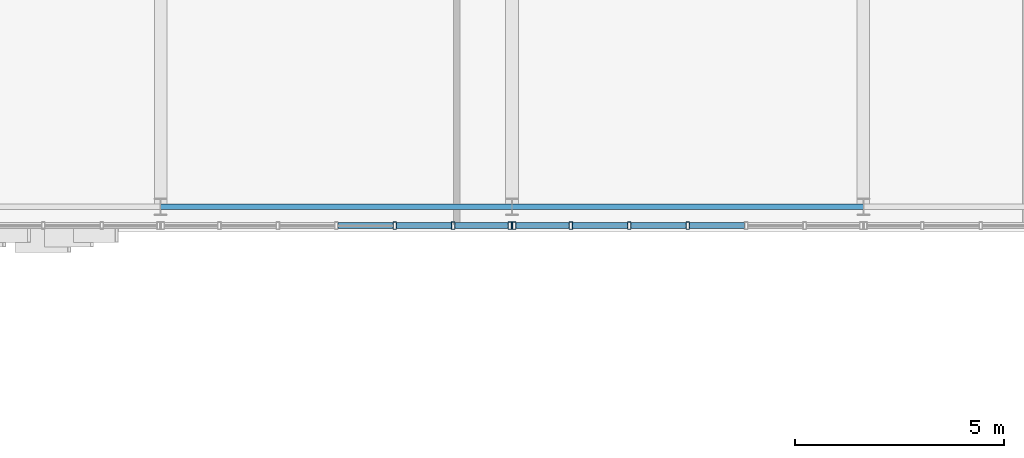
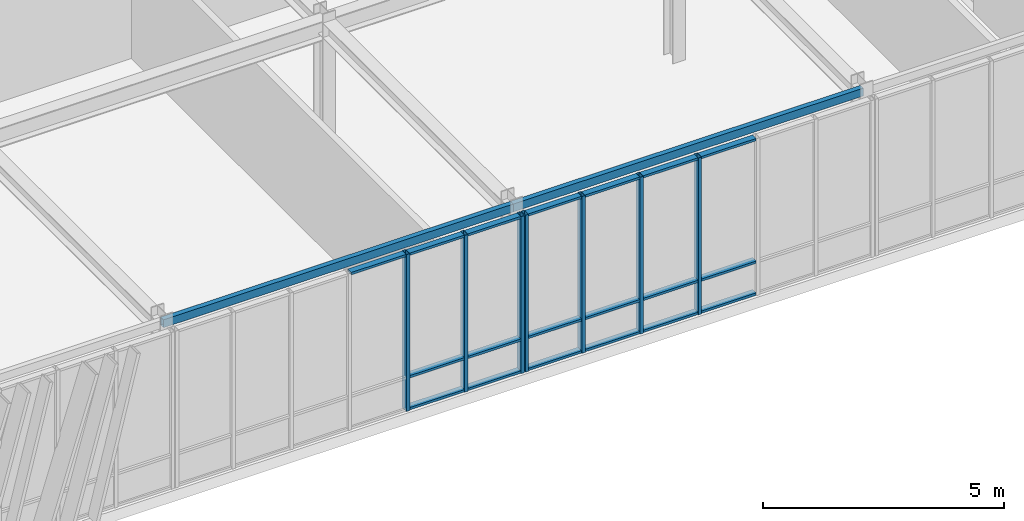
# One storey, part 23 of 123: 26 members, 2 beams, 2 elements without a shape of their own.
"""IFC4 building model written with IfcOpenShell, lengths in metres."""

from ifc_helpers import new_model, si_unit, direction, frame, origin, origin_2d, place, context, subcontext, project, spatial, hollow_rectangle, extrude, material, layer, layer_set, material_profile, profile_set, type_object, element, aggregate, save


model = new_model("IFC4")

# Units and contexts
model_context = context("Model", 3, precision=1e-05, world=origin(), true_north=direction((0.0, 1.0)))
body_context = subcontext(model_context, "Body", "Model", "MODEL_VIEW")
ifc_project = project(units=[si_unit("LENGTHUNIT", "METRE"), si_unit("AREAUNIT", "SQUARE_METRE"), si_unit("VOLUMEUNIT", "CUBIC_METRE"), si_unit("PLANEANGLEUNIT", "RADIAN"), si_unit("MASSUNIT", "GRAM", prefix="KILO")], contexts=[model_context])

# Site, building, storey
site_placement = place(None, origin())
site = spatial("IfcSite", under=ifc_project, at=site_placement, CompositionType="ELEMENT")
building_placement = place(site_placement, origin())
building = spatial("IfcBuilding", under=site, at=building_placement, Name="Zayran Congress Hotel", CompositionType="ELEMENT")
storey_placement = place(building_placement, frame((0.0, 0.0, 15.0)))
storey = spatial("IfcBuildingStorey", under=building, at=storey_placement, Name="L03", CompositionType="ELEMENT", Elevation=15.0)

# Beams
ifc_material_1 = material(Name="Steel S355", Category="steel")
ifc_material_profile_1 = material_profile(ifc_material_1, hollow_rectangle(XDim=0.1201171875, YDim=0.199951171875, WallThickness=0.008056640625, at=origin_2d()), Name="RHS 200x120x8")
ifc_profile_set_1 = profile_set([ifc_material_profile_1], Name="Steel S355")
beam_type = type_object("IfcBeamType", Name="TP-SP-02", PredefinedType="SPANDREL", material=ifc_profile_set_1)
beam_1_placement = place(storey_placement, frame((58.800048828125, 68.199951171875, 3.8798828125), z_axis=(1.0, 0.0, 0.0), x_axis=(0.0, 1.0, 0.0)))
element("IfcBeam", 1, at=beam_1_placement, inside=storey, type_object=beam_type, Name="BM-V1-L03-0797", PredefinedType="SPANDREL", context=body_context, shape_type="SweptSolid", body=[
    extrude(hollow_rectangle(XDim=0.1201171875, YDim=0.199951171875, WallThickness=0.008056640625, at=origin_2d()), origin(), (0.0, 0.0, 1.0), 8.39990234375),
])
beam_2_placement = place(storey_placement, frame((67.199951171875, 68.199951171875, 3.8798828125), z_axis=(1.0, 0.0, 0.0), x_axis=(0.0, 1.0, 0.0)))
element("IfcBeam", 2, at=beam_2_placement, inside=storey, type_object=beam_type, Name="BM-V1-L03-0798", PredefinedType="SPANDREL", context=body_context, shape_type="SweptSolid", body=[
    extrude(hollow_rectangle(XDim=0.1201171875, YDim=0.199951171875, WallThickness=0.008056640625, at=origin_2d()), origin(), (0.0, 0.0, 1.0), 8.400146484375),
])

# Curtain wall, members
ifc_material_2 = material(Name="Anodised aluminium and low-E insulated glass", Category="aluminium")
ifc_layer_1 = layer(ifc_material_2, 0.179931640625)
ifc_layer_set_1 = layer_set([ifc_layer_1], Name="Anodised aluminium and low-E insulated glass")
curtain_wall_type_1 = type_object("IfcCurtainWallType", Name="CW-V1S-L03-CW-11-8380-3980", PredefinedType="USERDEFINED", material=ifc_layer_set_1)
curtain_wall_1_placement = place(storey_placement, origin())
curtain_wall_1 = element("IfcCurtainWall", 3, at=curtain_wall_1_placement, inside=storey, type_object=curtain_wall_type_1, Name="CW-V1S-L03-6", ObjectType="CURTAIN WALL", PredefinedType="USERDEFINED")
ifc_material_3 = material(Name="Anodised aluminium framing", Category="aluminium")
ifc_material_profile_2 = material_profile(ifc_material_3, hollow_rectangle(XDim=0.080078125, YDim=0.179931640625, WallThickness=0.0048828125, at=origin_2d()), Name="RHS 180x80x5")
ifc_profile_set_2 = profile_set([ifc_material_profile_2], Name="Anodised aluminium framing")
member_type_1 = type_object("IfcMemberType", Name="TP-CWM-01", PredefinedType="MULLION", material=ifc_profile_set_2)
member_1_placement = place(storey_placement, frame((64.396728515625, 67.75, 0.0), z_axis=(0.0, 0.0, 1.0), x_axis=(1.0, 0.0, 0.0)))
member_1 = element("IfcMember", 4, at=member_1_placement, type_object=member_type_1, Name="CW-V1S-L03-6-M04", PredefinedType="MULLION", context=body_context, shape_type="SweptSolid", body=[
    extrude(hollow_rectangle(XDim=0.080078125, YDim=0.179931640625, WallThickness=0.0048828125, at=origin_2d()), origin(), (0.0, 0.0, 1.0), 3.97998046875),
])
member_2_placement = place(storey_placement, frame((65.793212890625, 67.75, 0.0), z_axis=(0.0, 0.0, 1.0), x_axis=(1.0, 0.0, 0.0)))
member_2 = element("IfcMember", 5, at=member_2_placement, type_object=member_type_1, Name="CW-V1S-L03-6-M05", PredefinedType="MULLION", context=body_context, shape_type="SweptSolid", body=[
    extrude(hollow_rectangle(XDim=0.080078125, YDim=0.179931640625, WallThickness=0.0048828125, at=origin_2d()), origin(), (0.0, 0.0, 1.0), 3.97998046875),
])
member_3_placement = place(storey_placement, frame((67.14990234375, 67.75, 0.0), z_axis=(0.0, 0.0, 1.0), x_axis=(1.0, 0.0, 0.0)))
member_3 = element("IfcMember", 6, at=member_3_placement, type_object=member_type_1, Name="CW-V1S-L03-6-M06", PredefinedType="MULLION", context=body_context, shape_type="SweptSolid", body=[
    extrude(hollow_rectangle(XDim=0.080078125, YDim=0.179931640625, WallThickness=0.0048828125, at=origin_2d()), origin(), (0.0, 0.0, 1.0), 3.97998046875),
])

ifc_layer_2 = layer(ifc_material_2, 0.179931640625)
ifc_layer_set_2 = layer_set([ifc_layer_2], Name="Anodised aluminium and low-E insulated glass")
curtain_wall_type_2 = type_object("IfcCurtainWallType", Name="CW-V1S-L03-CW-12-8380-3980", PredefinedType="USERDEFINED", material=ifc_layer_set_2)
curtain_wall_2_placement = place(storey_placement, origin())
curtain_wall_2 = element("IfcCurtainWall", 7, at=curtain_wall_2_placement, inside=storey, type_object=curtain_wall_type_2, Name="CW-V1S-L03-7", ObjectType="CURTAIN WALL", PredefinedType="USERDEFINED")
member_4_placement = place(storey_placement, frame((67.25, 67.75, 0.0), z_axis=(0.0, 0.0, 1.0), x_axis=(1.0, 0.0, 0.0)))
member_4 = element("IfcMember", 8, at=member_4_placement, type_object=member_type_1, Name="CW-V1S-L03-7-M00", PredefinedType="MULLION", context=body_context, shape_type="SweptSolid", body=[
    extrude(hollow_rectangle(XDim=0.080078125, YDim=0.179931640625, WallThickness=0.0048828125, at=origin_2d()), origin(), (0.0, 0.0, 1.0), 3.97998046875),
])
member_5_placement = place(storey_placement, frame((68.606689453125, 67.75, 0.0), z_axis=(0.0, 0.0, 1.0), x_axis=(1.0, 0.0, 0.0)))
member_5 = element("IfcMember", 9, at=member_5_placement, type_object=member_type_1, Name="CW-V1S-L03-7-M01", PredefinedType="MULLION", context=body_context, shape_type="SweptSolid", body=[
    extrude(hollow_rectangle(XDim=0.080078125, YDim=0.179931640625, WallThickness=0.0048828125, at=origin_2d()), origin(), (0.0, 0.0, 1.0), 3.97998046875),
])
member_6_placement = place(storey_placement, frame((70.00341796875, 67.75, 0.0), z_axis=(0.0, 0.0, 1.0), x_axis=(1.0, 0.0, 0.0)))
member_6 = element("IfcMember", 10, at=member_6_placement, type_object=member_type_1, Name="CW-V1S-L03-7-M02", PredefinedType="MULLION", context=body_context, shape_type="SweptSolid", body=[
    extrude(hollow_rectangle(XDim=0.080078125, YDim=0.179931640625, WallThickness=0.0048828125, at=origin_2d()), origin(), (0.0, 0.0, 1.0), 3.97998046875),
])
member_7_placement = place(storey_placement, frame((71.39990234375, 67.75, 0.0), z_axis=(0.0, 0.0, 1.0), x_axis=(1.0, 0.0, 0.0)))
member_7 = element("IfcMember", 11, at=member_7_placement, type_object=member_type_1, Name="CW-V1S-L03-7-M03", PredefinedType="MULLION", context=body_context, shape_type="SweptSolid", body=[
    extrude(hollow_rectangle(XDim=0.080078125, YDim=0.179931640625, WallThickness=0.0048828125, at=origin_2d()), origin(), (0.0, 0.0, 1.0), 3.97998046875),
])

# Member
ifc_material_profile_3 = material_profile(ifc_material_3, hollow_rectangle(XDim=0.06005859375, YDim=0.14990234375, WallThickness=0.00390625, at=origin_2d()), Name="RHS 150x60x4")
ifc_profile_set_3 = profile_set([ifc_material_profile_3], Name="Anodised aluminium framing")
member_type_2 = type_object("IfcMemberType", Name="TP-CWT-01", PredefinedType="USERDEFINED", material=ifc_profile_set_3)
member_8_placement = place(storey_placement, frame((63.0400390625, 67.75, 3.949951171875), z_axis=(1.0, 0.0, 0.0), x_axis=(0.0, 0.0, 1.0)))
member_8 = element("IfcMember", 12, at=member_8_placement, type_object=member_type_2, Name="CW-V1S-L03-6-T03-2", ObjectType="TRANSOM", PredefinedType="USERDEFINED", context=body_context, shape_type="SweptSolid", body=[
    extrude(hollow_rectangle(XDim=0.06005859375, YDim=0.14990234375, WallThickness=0.00390625, at=origin_2d()), origin(), (0.0, 0.0, 1.0), 1.316650390625),
])

member_9_placement = place(storey_placement, frame((64.436767578125, 67.75, 0.030029296875), z_axis=(1.0, 0.0, 0.0), x_axis=(0.0, 0.0, 1.0)))
member_9 = element("IfcMember", 13, at=member_9_placement, type_object=member_type_2, Name="CW-V1S-L03-6-T04-0", ObjectType="TRANSOM", PredefinedType="USERDEFINED", context=body_context, shape_type="SweptSolid", body=[
    extrude(hollow_rectangle(XDim=0.06005859375, YDim=0.14990234375, WallThickness=0.00390625, at=origin_2d()), origin(), (0.0, 0.0, 1.0), 1.316650390625),
])

member_10_placement = place(storey_placement, frame((64.436767578125, 67.75, 0.840087890625), z_axis=(1.0, 0.0, 0.0), x_axis=(0.0, 0.0, 1.0)))
member_10 = element("IfcMember", 14, at=member_10_placement, type_object=member_type_2, Name="CW-V1S-L03-6-T04-1", ObjectType="TRANSOM", PredefinedType="USERDEFINED", context=body_context, shape_type="SweptSolid", body=[
    extrude(hollow_rectangle(XDim=0.06005859375, YDim=0.14990234375, WallThickness=0.00390625, at=origin_2d()), origin(), (0.0, 0.0, 1.0), 1.316650390625),
])

member_11_placement = place(storey_placement, frame((64.436767578125, 67.75, 3.949951171875), z_axis=(1.0, 0.0, 0.0), x_axis=(0.0, 0.0, 1.0)))
member_11 = element("IfcMember", 15, at=member_11_placement, type_object=member_type_2, Name="CW-V1S-L03-6-T04-2", ObjectType="TRANSOM", PredefinedType="USERDEFINED", context=body_context, shape_type="SweptSolid", body=[
    extrude(hollow_rectangle(XDim=0.06005859375, YDim=0.14990234375, WallThickness=0.00390625, at=origin_2d()), origin(), (0.0, 0.0, 1.0), 1.316650390625),
])

member_12_placement = place(storey_placement, frame((65.833251953125, 67.75, 0.030029296875), z_axis=(1.0, 0.0, 0.0), x_axis=(0.0, 0.0, 1.0)))
member_12 = element("IfcMember", 16, at=member_12_placement, type_object=member_type_2, Name="CW-V1S-L03-6-T05-0", ObjectType="TRANSOM", PredefinedType="USERDEFINED", context=body_context, shape_type="SweptSolid", body=[
    extrude(hollow_rectangle(XDim=0.06005859375, YDim=0.14990234375, WallThickness=0.00390625, at=origin_2d()), origin(), (0.0, 0.0, 1.0), 1.27685546875),
])

member_13_placement = place(storey_placement, frame((65.833251953125, 67.75, 0.840087890625), z_axis=(1.0, 0.0, 0.0), x_axis=(0.0, 0.0, 1.0)))
member_13 = element("IfcMember", 17, at=member_13_placement, type_object=member_type_2, Name="CW-V1S-L03-6-T05-1", ObjectType="TRANSOM", PredefinedType="USERDEFINED", context=body_context, shape_type="SweptSolid", body=[
    extrude(hollow_rectangle(XDim=0.06005859375, YDim=0.14990234375, WallThickness=0.00390625, at=origin_2d()), origin(), (0.0, 0.0, 1.0), 1.27685546875),
])

member_14_placement = place(storey_placement, frame((65.833251953125, 67.75, 3.949951171875), z_axis=(1.0, 0.0, 0.0), x_axis=(0.0, 0.0, 1.0)))
member_14 = element("IfcMember", 18, at=member_14_placement, type_object=member_type_2, Name="CW-V1S-L03-6-T05-2", ObjectType="TRANSOM", PredefinedType="USERDEFINED", context=body_context, shape_type="SweptSolid", body=[
    extrude(hollow_rectangle(XDim=0.06005859375, YDim=0.14990234375, WallThickness=0.00390625, at=origin_2d()), origin(), (0.0, 0.0, 1.0), 1.27685546875),
])

aggregate(curtain_wall_1, [member_1, member_2, member_3, member_8, member_9, member_10, member_11, member_12, member_13, member_14])

member_15_placement = place(storey_placement, frame((67.2900390625, 67.75, 0.030029296875), z_axis=(1.0, 0.0, 0.0), x_axis=(0.0, 0.0, 1.0)))
member_15 = element("IfcMember", 19, at=member_15_placement, type_object=member_type_2, Name="CW-V1S-L03-7-T00-0", ObjectType="TRANSOM", PredefinedType="USERDEFINED", context=body_context, shape_type="SweptSolid", body=[
    extrude(hollow_rectangle(XDim=0.06005859375, YDim=0.14990234375, WallThickness=0.00390625, at=origin_2d()), origin(), (0.0, 0.0, 1.0), 1.276611328125),
])

member_16_placement = place(storey_placement, frame((67.2900390625, 67.75, 0.840087890625), z_axis=(1.0, 0.0, 0.0), x_axis=(0.0, 0.0, 1.0)))
member_16 = element("IfcMember", 20, at=member_16_placement, type_object=member_type_2, Name="CW-V1S-L03-7-T00-1", ObjectType="TRANSOM", PredefinedType="USERDEFINED", context=body_context, shape_type="SweptSolid", body=[
    extrude(hollow_rectangle(XDim=0.06005859375, YDim=0.14990234375, WallThickness=0.00390625, at=origin_2d()), origin(), (0.0, 0.0, 1.0), 1.276611328125),
])

member_17_placement = place(storey_placement, frame((67.2900390625, 67.75, 3.949951171875), z_axis=(1.0, 0.0, 0.0), x_axis=(0.0, 0.0, 1.0)))
member_17 = element("IfcMember", 21, at=member_17_placement, type_object=member_type_2, Name="CW-V1S-L03-7-T00-2", ObjectType="TRANSOM", PredefinedType="USERDEFINED", context=body_context, shape_type="SweptSolid", body=[
    extrude(hollow_rectangle(XDim=0.06005859375, YDim=0.14990234375, WallThickness=0.00390625, at=origin_2d()), origin(), (0.0, 0.0, 1.0), 1.276611328125),
])

member_18_placement = place(storey_placement, frame((68.646728515625, 67.75, 0.030029296875), z_axis=(1.0, 0.0, 0.0), x_axis=(0.0, 0.0, 1.0)))
member_18 = element("IfcMember", 22, at=member_18_placement, type_object=member_type_2, Name="CW-V1S-L03-7-T01-0", ObjectType="TRANSOM", PredefinedType="USERDEFINED", context=body_context, shape_type="SweptSolid", body=[
    extrude(hollow_rectangle(XDim=0.06005859375, YDim=0.14990234375, WallThickness=0.00390625, at=origin_2d()), origin(), (0.0, 0.0, 1.0), 1.316650390625),
])

member_19_placement = place(storey_placement, frame((68.646728515625, 67.75, 0.840087890625), z_axis=(1.0, 0.0, 0.0), x_axis=(0.0, 0.0, 1.0)))
member_19 = element("IfcMember", 23, at=member_19_placement, type_object=member_type_2, Name="CW-V1S-L03-7-T01-1", ObjectType="TRANSOM", PredefinedType="USERDEFINED", context=body_context, shape_type="SweptSolid", body=[
    extrude(hollow_rectangle(XDim=0.06005859375, YDim=0.14990234375, WallThickness=0.00390625, at=origin_2d()), origin(), (0.0, 0.0, 1.0), 1.316650390625),
])

member_20_placement = place(storey_placement, frame((68.646728515625, 67.75, 3.949951171875), z_axis=(1.0, 0.0, 0.0), x_axis=(0.0, 0.0, 1.0)))
member_20 = element("IfcMember", 24, at=member_20_placement, type_object=member_type_2, Name="CW-V1S-L03-7-T01-2", ObjectType="TRANSOM", PredefinedType="USERDEFINED", context=body_context, shape_type="SweptSolid", body=[
    extrude(hollow_rectangle(XDim=0.06005859375, YDim=0.14990234375, WallThickness=0.00390625, at=origin_2d()), origin(), (0.0, 0.0, 1.0), 1.316650390625),
])

member_21_placement = place(storey_placement, frame((70.043212890625, 67.75, 0.030029296875), z_axis=(1.0, 0.0, 0.0), x_axis=(0.0, 0.0, 1.0)))
member_21 = element("IfcMember", 25, at=member_21_placement, type_object=member_type_2, Name="CW-V1S-L03-7-T02-0", ObjectType="TRANSOM", PredefinedType="USERDEFINED", context=body_context, shape_type="SweptSolid", body=[
    extrude(hollow_rectangle(XDim=0.06005859375, YDim=0.14990234375, WallThickness=0.00390625, at=origin_2d()), origin(), (0.0, 0.0, 1.0), 1.31689453125),
])

member_22_placement = place(storey_placement, frame((70.043212890625, 67.75, 0.840087890625), z_axis=(1.0, 0.0, 0.0), x_axis=(0.0, 0.0, 1.0)))
member_22 = element("IfcMember", 26, at=member_22_placement, type_object=member_type_2, Name="CW-V1S-L03-7-T02-1", ObjectType="TRANSOM", PredefinedType="USERDEFINED", context=body_context, shape_type="SweptSolid", body=[
    extrude(hollow_rectangle(XDim=0.06005859375, YDim=0.14990234375, WallThickness=0.00390625, at=origin_2d()), origin(), (0.0, 0.0, 1.0), 1.31689453125),
])

member_23_placement = place(storey_placement, frame((70.043212890625, 67.75, 3.949951171875), z_axis=(1.0, 0.0, 0.0), x_axis=(0.0, 0.0, 1.0)))
member_23 = element("IfcMember", 27, at=member_23_placement, type_object=member_type_2, Name="CW-V1S-L03-7-T02-2", ObjectType="TRANSOM", PredefinedType="USERDEFINED", context=body_context, shape_type="SweptSolid", body=[
    extrude(hollow_rectangle(XDim=0.06005859375, YDim=0.14990234375, WallThickness=0.00390625, at=origin_2d()), origin(), (0.0, 0.0, 1.0), 1.31689453125),
])

member_24_placement = place(storey_placement, frame((71.43994140625, 67.75, 0.030029296875), z_axis=(1.0, 0.0, 0.0), x_axis=(0.0, 0.0, 1.0)))
member_24 = element("IfcMember", 28, at=member_24_placement, type_object=member_type_2, Name="CW-V1S-L03-7-T03-0", ObjectType="TRANSOM", PredefinedType="USERDEFINED", context=body_context, shape_type="SweptSolid", body=[
    extrude(hollow_rectangle(XDim=0.06005859375, YDim=0.14990234375, WallThickness=0.00390625, at=origin_2d()), origin(), (0.0, 0.0, 1.0), 1.316650390625),
])

member_25_placement = place(storey_placement, frame((71.43994140625, 67.75, 0.840087890625), z_axis=(1.0, 0.0, 0.0), x_axis=(0.0, 0.0, 1.0)))
member_25 = element("IfcMember", 29, at=member_25_placement, type_object=member_type_2, Name="CW-V1S-L03-7-T03-1", ObjectType="TRANSOM", PredefinedType="USERDEFINED", context=body_context, shape_type="SweptSolid", body=[
    extrude(hollow_rectangle(XDim=0.06005859375, YDim=0.14990234375, WallThickness=0.00390625, at=origin_2d()), origin(), (0.0, 0.0, 1.0), 1.316650390625),
])

member_26_placement = place(storey_placement, frame((71.43994140625, 67.75, 3.949951171875), z_axis=(1.0, 0.0, 0.0), x_axis=(0.0, 0.0, 1.0)))
member_26 = element("IfcMember", 30, at=member_26_placement, type_object=member_type_2, Name="CW-V1S-L03-7-T03-2", ObjectType="TRANSOM", PredefinedType="USERDEFINED", context=body_context, shape_type="SweptSolid", body=[
    extrude(hollow_rectangle(XDim=0.06005859375, YDim=0.14990234375, WallThickness=0.00390625, at=origin_2d()), origin(), (0.0, 0.0, 1.0), 1.316650390625),
])

aggregate(curtain_wall_2, [member_4, member_5, member_6, member_7, member_15, member_16, member_17, member_18, member_19, member_20, member_21, member_22, member_23, member_24, member_25, member_26])

save(model, "model.ifc")
